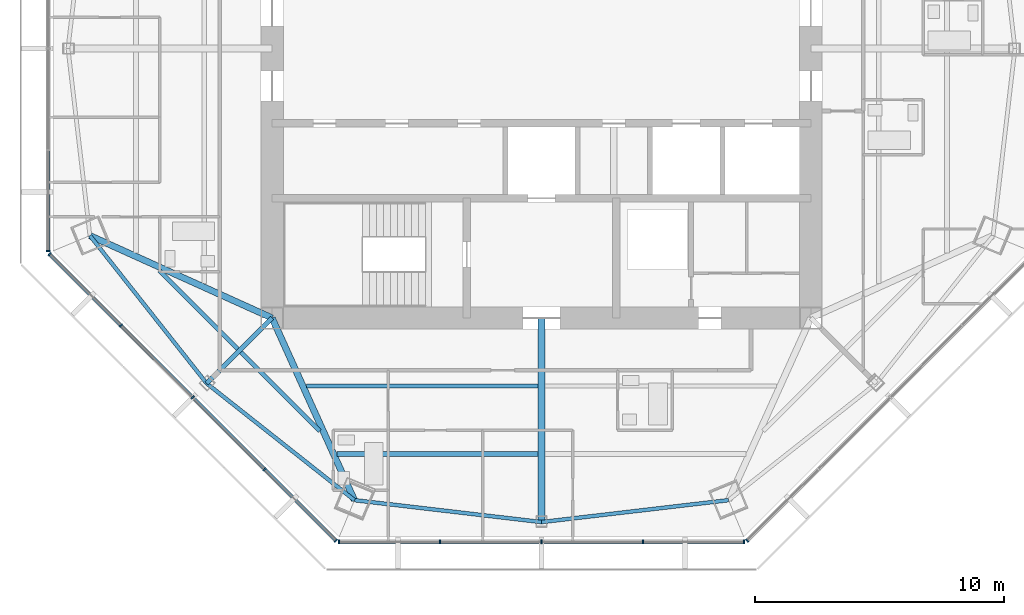
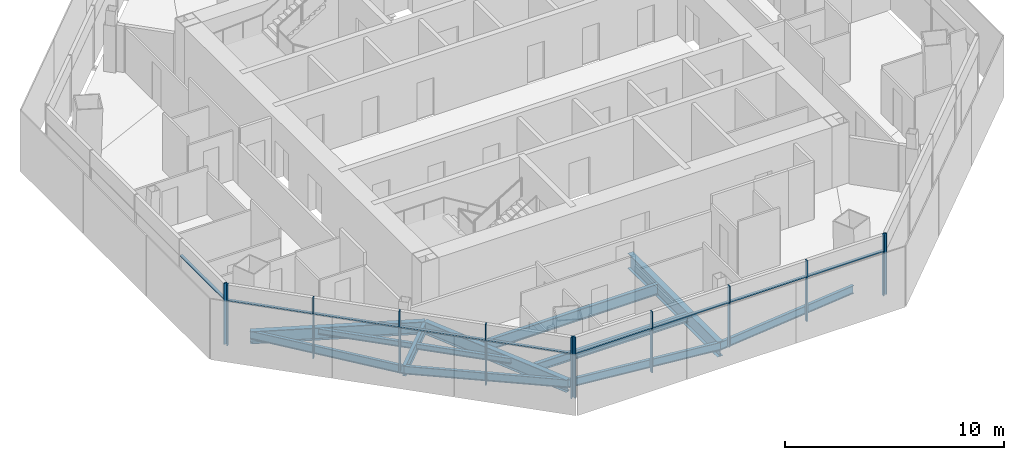
# One storey, part 2 of 15: 21 members, 12 beams, 4 elements without a shape of their own.
"""IFC4 building model written with IfcOpenShell, lengths in metres."""

from ifc_helpers import new_model, si_unit, direction, frame, origin, origin_2d, place, context, subcontext, project, spatial, rectangle, i_section, extrude, source, transform, mapped, material, material_profile, profile_set, type_object, type_shapes, element, aggregate, save


model = new_model("IFC4")

# Units and contexts
model_context = context("Model", 3, precision=1e-05, world=origin(), true_north=direction((0.0, 1.0)))
body_context = subcontext(model_context, "Body", "Model", "MODEL_VIEW")
ifc_project = project(units=[si_unit("LENGTHUNIT", "METRE"), si_unit("AREAUNIT", "SQUARE_METRE"), si_unit("VOLUMEUNIT", "CUBIC_METRE"), si_unit("PLANEANGLEUNIT", "RADIAN"), si_unit("MASSUNIT", "GRAM", prefix="KILO")], contexts=[model_context])

# Site, building, storey
site_placement = place(None, origin())
site = spatial("IfcSite", under=ifc_project, at=site_placement, CompositionType="ELEMENT")
building_placement = place(site_placement, origin())
building = spatial("IfcBuilding", under=site, at=building_placement, Name="Mashrafa Tower", CompositionType="ELEMENT")
storey_placement = place(building_placement, frame((0.0, 0.0, 291.199951171875)))
storey = spatial("IfcBuildingStorey", under=building, at=storey_placement, Name="L71", CompositionType="ELEMENT", Elevation=291.199951171875)

# Beams
ifc_material_1 = material(Name="Steel ASTM A992", Category="steel")
ifc_material_profile_1 = material_profile(ifc_material_1, i_section(OverallWidth=0.164794921875, OverallDepth=0.309814453125, WebThickness=0.005859375, FlangeThickness=0.009765625, FilletRadius=0.007568359375, at=origin_2d()), Name="W12X26")
ifc_profile_set_1 = profile_set([ifc_material_profile_1], Name="Steel ASTM A992")
beam_type_1 = type_object("IfcBeamType", Name="Beam W12X26", PredefinedType="BEAM", material=ifc_profile_set_1)
for number, where, z_axis, x_axis, name in (
    (1, (-12.17431640625, -12.04833984375, -0.35498046875), (-0.70713414653, 0.707079414784, 0.0), (-0.707079414784, -0.70713414653, 0.0), "Floor beam L71 006"),
    (2, (-8.894287109375, -15.32861328125, -0.35498046875), (-0.707079414784, 0.70713414653, 0.0), (-0.70713414653, -0.707079414784, 0.0), "Floor beam L71 009"),
):
    element("IfcBeam", number, at=place(storey_placement, frame(where, z_axis=z_axis, x_axis=x_axis)), inside=storey, type_object=beam_type_1, Name=name, PredefinedType="BEAM", context=body_context, shape_type="SweptSolid", body=[
        extrude(i_section(OverallWidth=0.164794921875, OverallDepth=0.309814453125, WebThickness=0.005859375, FlangeThickness=0.009765625, FilletRadius=0.007568359375, at=origin_2d()), origin(), (0.0, 0.0, 1.0), 4.460693359375),
    ])
ifc_material_2 = material(Name="Steel ASTM A992", Category="steel")
ifc_material_profile_2 = material_profile(ifc_material_2, i_section(OverallWidth=0.15234375, OverallDepth=0.449462890625, WebThickness=0.007568359375, FlangeThickness=0.0107421875, FilletRadius=0.01025390625, at=origin_2d()), Name="W18X35")
ifc_profile_set_2 = profile_set([ifc_material_profile_2], Name="Steel ASTM A992")
beam_type_2 = type_object("IfcBeamType", Name="Beam W18X35", PredefinedType="BEAM", material=ifc_profile_set_2)
for number, where, z_axis, x_axis, name in (
    (3, (-18.1044921875, -7.4990234375, -0.4248046875), (0.620046788418, -0.784564834907, 0.0), (0.784564834907, 0.620046788418, 0.0), "Spandrel beam L71 042"),
    (4, (-13.4228515625, -13.4228515625, -0.4248046875), (0.784564834907, -0.620046788418, 0.0), (0.620046788418, 0.784564834907, 0.0), "Spandrel beam L71 044"),
):
    element("IfcBeam", number, at=place(storey_placement, frame(where, z_axis=z_axis, x_axis=x_axis)), inside=storey, type_object=beam_type_2, Name=name, PredefinedType="BEAM", context=body_context, shape_type="SweptSolid", body=[
        extrude(i_section(OverallWidth=0.15234375, OverallDepth=0.449462890625, WebThickness=0.007568359375, FlangeThickness=0.0107421875, FilletRadius=0.01025390625, at=origin_2d()), origin(), (0.0, 0.0, 1.0), 7.550537109375),
    ])
for number, where, z_axis, x_axis, name in (
    (5, (-7.4990234375, -18.1044921875, -0.4248046875), (0.993212925931, -0.116310290877, 0.0), (0.116310290877, 0.993212925931, 0.0), "Spandrel beam L71 046"),
    (6, (0.0, -18.982666015625, -0.4248046875), (0.993212925931, 0.116310290877, 0.0), (-0.116310290877, 0.993212925931, 0.0), "Spandrel beam L71 048"),
):
    element("IfcBeam", number, at=place(storey_placement, frame(where, z_axis=z_axis, x_axis=x_axis)), inside=storey, type_object=beam_type_2, Name=name, PredefinedType="BEAM", context=body_context, shape_type="SweptSolid", body=[
        extrude(i_section(OverallWidth=0.15234375, OverallDepth=0.449462890625, WebThickness=0.007568359375, FlangeThickness=0.0107421875, FilletRadius=0.01025390625, at=origin_2d()), origin(), (0.0, 0.0, 1.0), 7.55029296875),
    ])
ifc_material_3 = material(Name="Steel ASTM A992", Category="steel")
ifc_material_profile_3 = material_profile(ifc_material_3, i_section(OverallWidth=0.191162109375, OverallDepth=0.459716796875, WebThickness=0.010009765625, FlangeThickness=0.01611328125, FilletRadius=0.01025390625, at=origin_2d()), Name="W18X55")
ifc_profile_set_3 = profile_set([ifc_material_profile_3], Name="Steel ASTM A992")
beam_type_3 = type_object("IfcBeamType", Name="Beam W18X55", PredefinedType="BEAM", material=ifc_profile_set_3)
beam_1_placement = place(storey_placement, frame((-0.14599609375, -16.255126953125, -0.429931640625), z_axis=(-1.0, 0.0, 0.0), x_axis=(0.0, -1.0, 0.0)))
element("IfcBeam", 7, at=beam_1_placement, inside=storey, type_object=beam_type_3, Name="Floor beam L71 011", PredefinedType="BEAM", context=body_context, shape_type="SweptSolid", body=[
    extrude(i_section(OverallWidth=0.191162109375, OverallDepth=0.459716796875, WebThickness=0.010009765625, FlangeThickness=0.01611328125, FilletRadius=0.01025390625, at=origin_2d()), origin(), (0.0, 0.0, 1.0), 8.048095703125),
])
ifc_material_4 = material(Name="Steel ASTM A992", Category="steel")
ifc_material_profile_4 = material_profile(ifc_material_4, i_section(OverallWidth=0.177978515625, OverallDepth=0.599365234375, WebThickness=0.010009765625, FlangeThickness=0.012939453125, FilletRadius=0.012939453125, at=origin_2d()), Name="W24X55")
ifc_profile_set_4 = profile_set([ifc_material_profile_4], Name="Steel ASTM A992")
beam_type_4 = type_object("IfcBeamType", Name="Beam W24X55", PredefinedType="BEAM", material=ifc_profile_set_4)
beam_2_placement = place(storey_placement, frame((-0.14599609375, -13.527587890625, -0.499755859375), z_axis=(-1.0, 0.0, 0.0), x_axis=(0.0, -1.0, 0.0)))
element("IfcBeam", 8, at=beam_2_placement, inside=storey, type_object=beam_type_4, Name="Floor beam L71 012", PredefinedType="BEAM", context=body_context, shape_type="SweptSolid", body=[
    extrude(i_section(OverallWidth=0.177978515625, OverallDepth=0.599365234375, WebThickness=0.010009765625, FlangeThickness=0.012939453125, FilletRadius=0.012939453125, at=origin_2d()), origin(), (0.0, 0.0, 1.0), 9.280517578125),
])
beam_3_placement = place(storey_placement, frame((-10.800048828125, -10.800048828125, -0.499755859375), z_axis=(-0.707106781187, -0.707106781187, 0.0), x_axis=(0.707106781187, -0.707106781187, 0.0)))
element("IfcBeam", 9, at=beam_3_placement, inside=storey, type_object=beam_type_4, Name="Radial girder L71 026", PredefinedType="BEAM", context=body_context, shape_type="SweptSolid", body=[
    extrude(i_section(OverallWidth=0.177978515625, OverallDepth=0.599365234375, WebThickness=0.010009765625, FlangeThickness=0.012939453125, FilletRadius=0.012939453125, at=origin_2d()), origin(), (0.0, 0.0, 1.0), 3.709228515625),
])
ifc_material_5 = material(Name="Steel ASTM A992", Category="steel")
ifc_material_profile_5 = material_profile(ifc_material_5, i_section(OverallWidth=0.256591796875, OverallDepth=0.693359375, WebThickness=0.014404296875, FlangeThickness=0.023681640625, FilletRadius=0.01513671875, at=origin_2d()), Name="W27X114")
ifc_profile_set_5 = profile_set([ifc_material_profile_5], Name="Steel ASTM A992")
beam_type_5 = type_object("IfcBeamType", Name="Beam W27X114", PredefinedType="BEAM", material=ifc_profile_set_5)
for number, where, z_axis, x_axis, name in (
    (10, (-10.800048828125, -10.800048828125, -0.546630859375), (-0.911265534167, 0.411819288328, 0.0), (-0.411819288328, -0.911265534167, 0.0), "Radial girder L71 025"),
    (11, (-10.800048828125, -10.800048828125, -0.546630859375), (0.411819288328, -0.911265534167, 0.0), (0.911265534167, 0.411819288328, 0.0), "Radial girder L71 027"),
):
    element("IfcBeam", number, at=place(storey_placement, frame(where, z_axis=z_axis, x_axis=x_axis)), inside=storey, type_object=beam_type_5, Name=name, PredefinedType="BEAM", context=body_context, shape_type="SweptSolid", body=[
        extrude(i_section(OverallWidth=0.256591796875, OverallDepth=0.693359375, WebThickness=0.014404296875, FlangeThickness=0.023681640625, FilletRadius=0.01513671875, at=origin_2d()), origin(), (0.0, 0.0, 1.0), 8.015625),
    ])
ifc_material_6 = material(Name="Steel ASTM A992", Category="steel")
ifc_material_profile_6 = material_profile(ifc_material_6, i_section(OverallWidth=0.2919921875, OverallDepth=0.8408203125, WebThickness=0.0146484375, FlangeThickness=0.021728515625, FilletRadius=0.017333984375, at=origin_2d()), Name="W33X130")
ifc_profile_set_6 = profile_set([ifc_material_profile_6], Name="Steel ASTM A992")
beam_type_6 = type_object("IfcBeamType", Name="Beam W33X130", PredefinedType="BEAM", material=ifc_profile_set_6)
beam_4_placement = place(storey_placement, frame((0.0, -10.800048828125, -0.620361328125), z_axis=(0.0, -1.0, 0.0), x_axis=(1.0, 0.0, 0.0)))
element("IfcBeam", 12, at=beam_4_placement, inside=storey, type_object=beam_type_6, Name="Radial girder L71 032", PredefinedType="BEAM", context=body_context, shape_type="SweptSolid", body=[
    extrude(i_section(OverallWidth=0.2919921875, OverallDepth=0.8408203125, WebThickness=0.0146484375, FlangeThickness=0.021728515625, FilletRadius=0.017333984375, at=origin_2d()), origin(), (0.0, 0.0, 1.0), 8.1826171875),
])

# Curtain wall, member
ifc_material_7 = material(Name="Unitised aluminium curtain wall", Category="aluminium")
curtain_wall_type = type_object("IfcCurtainWallType", Name="Apartment curtain wall, zone 4 CW-D 160 deep", PredefinedType="NOTDEFINED", material=ifc_material_7)
curtain_wall_1_placement = place(storey_placement, origin())
curtain_wall_1 = element("IfcCurtainWall", 13, at=curtain_wall_1_placement, inside=storey, type_object=curtain_wall_type, Name="Apartment curtain wall, zone 4 L71 west", PredefinedType="NOTDEFINED")
ifc_material_8 = material(Name="Extruded aluminium mullion", Category="aluminium")
ifc_material_profile_7 = material_profile(ifc_material_8, rectangle(XDim=0.159912109375, YDim=0.06005859375, at=origin_2d()), Name="Mullion 60x160")
ifc_profile_set_7 = profile_set([ifc_material_profile_7], Name="Extruded aluminium mullion")
member_type_1 = type_object("IfcMemberType", Name="Mullion CW-D 60 x 160", PredefinedType="MULLION", material=ifc_profile_set_7)
shared_shape_1 = source(origin(), body_context, "Body", "SweptSolid", [
    extrude(rectangle(XDim=0.159912109375, YDim=0.06005859375, at=origin_2d()), origin(), (0.0, 0.0, 1.0), 3.400146484375),
])
type_shapes(member_type_1, [shared_shape_1])
member_1_placement = place(storey_placement, frame((-19.777099609375, -8.118896484375, 0.0), z_axis=(0.0, 0.0, 1.0), x_axis=(1.0, 0.0, 0.0)))
member_1 = element("IfcMember", 14, at=member_1_placement, type_object=member_type_1, Name="CW-D mullion 5", PredefinedType="MULLION", context=body_context, shape_type="MappedRepresentation", body=[
    mapped(shared_shape_1, transform((0.0, 0.0, 0.0))),
])

# Curtain wall, members
curtain_wall_2_placement = place(storey_placement, origin())
curtain_wall_2 = element("IfcCurtainWall", 15, at=curtain_wall_2_placement, inside=storey, type_object=curtain_wall_type, Name="Apartment curtain wall, zone 4 L71 south-west", PredefinedType="NOTDEFINED")
member_2_placement = place(storey_placement, frame((-19.725341796875, -8.24365234375, 0.0), z_axis=(0.0, 0.0, 1.0), x_axis=(0.707106781187, 0.707106781187, 0.0)))
member_2 = element("IfcMember", 16, at=member_2_placement, type_object=member_type_1, Name="CW-D mullion 1", PredefinedType="MULLION", context=body_context, shape_type="MappedRepresentation", body=[
    mapped(shared_shape_1, transform((0.0, 0.0, 0.0))),
])
member_3_placement = place(storey_placement, frame((-16.865478515625, -11.103515625, 0.0), z_axis=(0.0, 0.0, 1.0), x_axis=(0.707106781187, 0.707106781187, 0.0)))
member_3 = element("IfcMember", 17, at=member_3_placement, type_object=member_type_1, Name="CW-D mullion 2", PredefinedType="MULLION", context=body_context, shape_type="MappedRepresentation", body=[
    mapped(shared_shape_1, transform((0.0, 0.0, 0.0))),
])
member_4_placement = place(storey_placement, frame((-13.984619140625, -13.984619140625, 0.0), z_axis=(0.0, 0.0, 1.0), x_axis=(0.707106781187, 0.707106781187, 0.0)))
member_4 = element("IfcMember", 18, at=member_4_placement, type_object=member_type_1, Name="CW-D mullion 3", PredefinedType="MULLION", context=body_context, shape_type="MappedRepresentation", body=[
    mapped(shared_shape_1, transform((0.0, 0.0, 0.0))),
])
member_5_placement = place(storey_placement, frame((-11.103515625, -16.865478515625, 0.0), z_axis=(0.0, 0.0, 1.0), x_axis=(0.707106781187, 0.707106781187, 0.0)))
member_5 = element("IfcMember", 19, at=member_5_placement, type_object=member_type_1, Name="CW-D mullion 4", PredefinedType="MULLION", context=body_context, shape_type="MappedRepresentation", body=[
    mapped(shared_shape_1, transform((0.0, 0.0, 0.0))),
])
member_6_placement = place(storey_placement, frame((-8.24365234375, -19.725341796875, 0.0), z_axis=(0.0, 0.0, 1.0), x_axis=(0.707106781187, 0.707106781187, 0.0)))
member_6 = element("IfcMember", 20, at=member_6_placement, type_object=member_type_1, Name="CW-D mullion 5", PredefinedType="MULLION", context=body_context, shape_type="MappedRepresentation", body=[
    mapped(shared_shape_1, transform((0.0, 0.0, 0.0))),
])

curtain_wall_3_placement = place(storey_placement, origin())
curtain_wall_3 = element("IfcCurtainWall", 21, at=curtain_wall_3_placement, inside=storey, type_object=curtain_wall_type, Name="Apartment curtain wall, zone 4 L71 south", PredefinedType="NOTDEFINED")
member_7_placement = place(storey_placement, frame((-8.118896484375, -19.777099609375, 0.0), z_axis=(0.0, 0.0, 1.0), x_axis=(0.0, 1.0, 0.0)))
member_7 = element("IfcMember", 22, at=member_7_placement, type_object=member_type_1, Name="CW-D mullion 1", PredefinedType="MULLION", context=body_context, shape_type="MappedRepresentation", body=[
    mapped(shared_shape_1, transform((0.0, 0.0, 0.0))),
])
member_8_placement = place(storey_placement, frame((-4.074462890625, -19.777099609375, 0.0), z_axis=(0.0, 0.0, 1.0), x_axis=(0.0, 1.0, 0.0)))
member_8 = element("IfcMember", 23, at=member_8_placement, type_object=member_type_1, Name="CW-D mullion 2", PredefinedType="MULLION", context=body_context, shape_type="MappedRepresentation", body=[
    mapped(shared_shape_1, transform((0.0, 0.0, 0.0))),
])
member_9_placement = place(storey_placement, frame((0.0, -19.777099609375, 0.0), z_axis=(0.0, 0.0, 1.0), x_axis=(0.0, 1.0, 0.0)))
member_9 = element("IfcMember", 24, at=member_9_placement, type_object=member_type_1, Name="CW-D mullion 3", PredefinedType="MULLION", context=body_context, shape_type="MappedRepresentation", body=[
    mapped(shared_shape_1, transform((0.0, 0.0, 0.0))),
])
member_10_placement = place(storey_placement, frame((4.074462890625, -19.777099609375, 0.0), z_axis=(0.0, 0.0, 1.0), x_axis=(0.0, 1.0, 0.0)))
member_10 = element("IfcMember", 25, at=member_10_placement, type_object=member_type_1, Name="CW-D mullion 4", PredefinedType="MULLION", context=body_context, shape_type="MappedRepresentation", body=[
    mapped(shared_shape_1, transform((0.0, 0.0, 0.0))),
])
member_11_placement = place(storey_placement, frame((8.118896484375, -19.777099609375, 0.0), z_axis=(0.0, 0.0, 1.0), x_axis=(0.0, 1.0, 0.0)))
member_11 = element("IfcMember", 26, at=member_11_placement, type_object=member_type_1, Name="CW-D mullion 5", PredefinedType="MULLION", context=body_context, shape_type="MappedRepresentation", body=[
    mapped(shared_shape_1, transform((0.0, 0.0, 0.0))),
])

# Curtain wall, member
curtain_wall_4_placement = place(storey_placement, origin())
curtain_wall_4 = element("IfcCurtainWall", 27, at=curtain_wall_4_placement, inside=storey, type_object=curtain_wall_type, Name="Apartment curtain wall, zone 4 L71 south-east", PredefinedType="NOTDEFINED")
member_12_placement = place(storey_placement, frame((8.24365234375, -19.725341796875, 0.0), z_axis=(0.0, 0.0, 1.0), x_axis=(-0.707106781187, 0.707106781187, 0.0)))
member_12 = element("IfcMember", 28, at=member_12_placement, type_object=member_type_1, Name="CW-D mullion 1", PredefinedType="MULLION", context=body_context, shape_type="MappedRepresentation", body=[
    mapped(shared_shape_1, transform((0.0, 0.0, 0.0))),
])
aggregate(curtain_wall_4, [member_12])

# Member
ifc_material_9 = material(Name="Extruded aluminium transom", Category="aluminium")
ifc_material_profile_8 = material_profile(ifc_material_9, rectangle(XDim=0.1279296875, YDim=0.074951171875, at=origin_2d()), Name="Transom 75x128")
ifc_profile_set_8 = profile_set([ifc_material_profile_8], Name="Extruded aluminium transom")
member_type_2 = type_object("IfcMemberType", Name="Transom CW-D 75 x 128", PredefinedType="MULLION", material=ifc_profile_set_8)
shared_shape_2 = source(origin(), body_context, "Body", "SweptSolid", [
    extrude(rectangle(XDim=0.1279296875, YDim=0.074951171875, at=origin_2d()), origin(), (0.0, 0.0, 1.0), 3.984375),
])
member_13_placement = place(storey_placement, frame((-19.777099609375, -4.1044921875, 2.5), z_axis=(0.0, -1.0, 0.0), x_axis=(1.0, 0.0, 0.0)))
member_13 = element("IfcMember", 29, at=member_13_placement, type_object=member_type_2, Name="CW-D transom 4", PredefinedType="MULLION", context=body_context, shape_type="MappedRepresentation", body=[
    mapped(shared_shape_2, transform((0.0, 0.0, 0.0))),
])

aggregate(curtain_wall_1, [member_1, member_13])

member_14_placement = place(storey_placement, frame((-19.7041015625, -8.264892578125, 2.5), z_axis=(0.707106781187, -0.707106781187, 0.0), x_axis=(0.707106781187, 0.707106781187, 0.0)))
member_14 = element("IfcMember", 30, at=member_14_placement, type_object=member_type_2, Name="CW-D transom 1", PredefinedType="MULLION", context=body_context, shape_type="MappedRepresentation", body=[
    mapped(shared_shape_2, transform((0.0, 0.0, 0.0))),
])

member_15_placement = place(storey_placement, frame((-11.082275390625, -16.88671875, 2.5), z_axis=(0.707106781187, -0.707106781187, 0.0), x_axis=(0.707106781187, 0.707106781187, 0.0)))
member_15 = element("IfcMember", 31, at=member_15_placement, type_object=member_type_2, Name="CW-D transom 4", PredefinedType="MULLION", context=body_context, shape_type="MappedRepresentation", body=[
    mapped(shared_shape_2, transform((0.0, 0.0, 0.0))),
])

member_16_placement = place(storey_placement, frame((-8.0888671875, -19.777099609375, 2.5), z_axis=(1.0, 0.0, 0.0), x_axis=(0.0, 1.0, 0.0)))
member_16 = element("IfcMember", 32, at=member_16_placement, type_object=member_type_2, Name="CW-D transom 1", PredefinedType="MULLION", context=body_context, shape_type="MappedRepresentation", body=[
    mapped(shared_shape_2, transform((0.0, 0.0, 0.0))),
])

member_17_placement = place(storey_placement, frame((4.1044921875, -19.777099609375, 2.5), z_axis=(1.0, 0.0, 0.0), x_axis=(0.0, 1.0, 0.0)))
member_17 = element("IfcMember", 33, at=member_17_placement, type_object=member_type_2, Name="CW-D transom 4", PredefinedType="MULLION", context=body_context, shape_type="MappedRepresentation", body=[
    mapped(shared_shape_2, transform((0.0, 0.0, 0.0))),
])

shared_shape_3 = source(origin(), body_context, "Body", "SweptSolid", [
    extrude(rectangle(XDim=0.1279296875, YDim=0.074951171875, at=origin_2d()), origin(), (0.0, 0.0, 1.0), 4.014404296875),
])
type_shapes(member_type_2, [shared_shape_2, shared_shape_3])
member_18_placement = place(storey_placement, frame((-16.84423828125, -11.124755859375, 2.5), z_axis=(0.707106781187, -0.707106781187, 0.0), x_axis=(0.707106781187, 0.707106781187, 0.0)))
member_18 = element("IfcMember", 34, at=member_18_placement, type_object=member_type_2, Name="CW-D transom 2", PredefinedType="MULLION", context=body_context, shape_type="MappedRepresentation", body=[
    mapped(shared_shape_3, transform((0.0, 0.0, 0.0))),
])

member_19_placement = place(storey_placement, frame((-13.96337890625, -14.005615234375, 2.5), z_axis=(0.707106781187, -0.707106781187, 0.0), x_axis=(0.707106781187, 0.707106781187, 0.0)))
member_19 = element("IfcMember", 35, at=member_19_placement, type_object=member_type_2, Name="CW-D transom 3", PredefinedType="MULLION", context=body_context, shape_type="MappedRepresentation", body=[
    mapped(shared_shape_3, transform((0.0, 0.0, 0.0))),
])

aggregate(curtain_wall_2, [member_2, member_3, member_4, member_5, member_6, member_14, member_18, member_19, member_15])

member_20_placement = place(storey_placement, frame((-4.04443359375, -19.777099609375, 2.5), z_axis=(1.0, 0.0, 0.0), x_axis=(0.0, 1.0, 0.0)))
member_20 = element("IfcMember", 36, at=member_20_placement, type_object=member_type_2, Name="CW-D transom 2", PredefinedType="MULLION", context=body_context, shape_type="MappedRepresentation", body=[
    mapped(shared_shape_3, transform((0.0, 0.0, 0.0))),
])

member_21_placement = place(storey_placement, frame((0.030029296875, -19.777099609375, 2.5), z_axis=(1.0, 0.0, 0.0), x_axis=(0.0, 1.0, 0.0)))
member_21 = element("IfcMember", 37, at=member_21_placement, type_object=member_type_2, Name="CW-D transom 3", PredefinedType="MULLION", context=body_context, shape_type="MappedRepresentation", body=[
    mapped(shared_shape_3, transform((0.0, 0.0, 0.0))),
])

aggregate(curtain_wall_3, [member_7, member_8, member_9, member_10, member_11, member_16, member_20, member_21, member_17])

save(model, "model.ifc")
